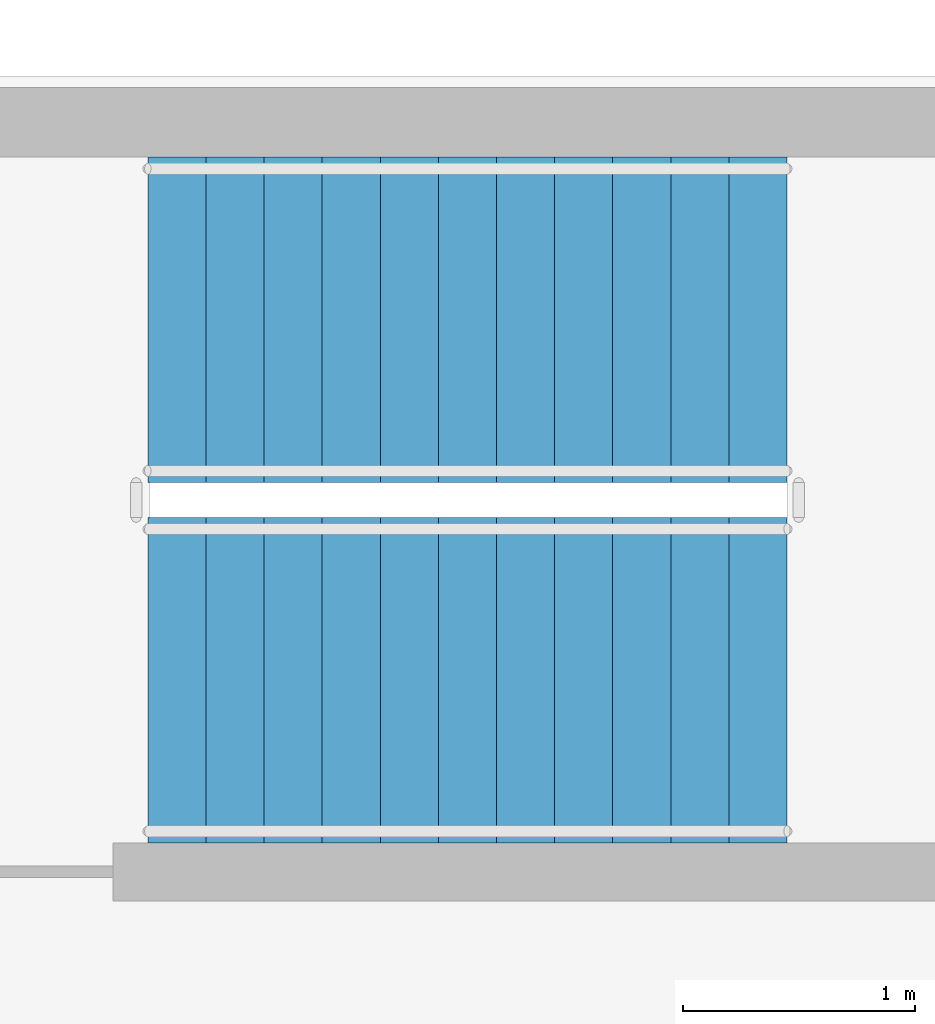
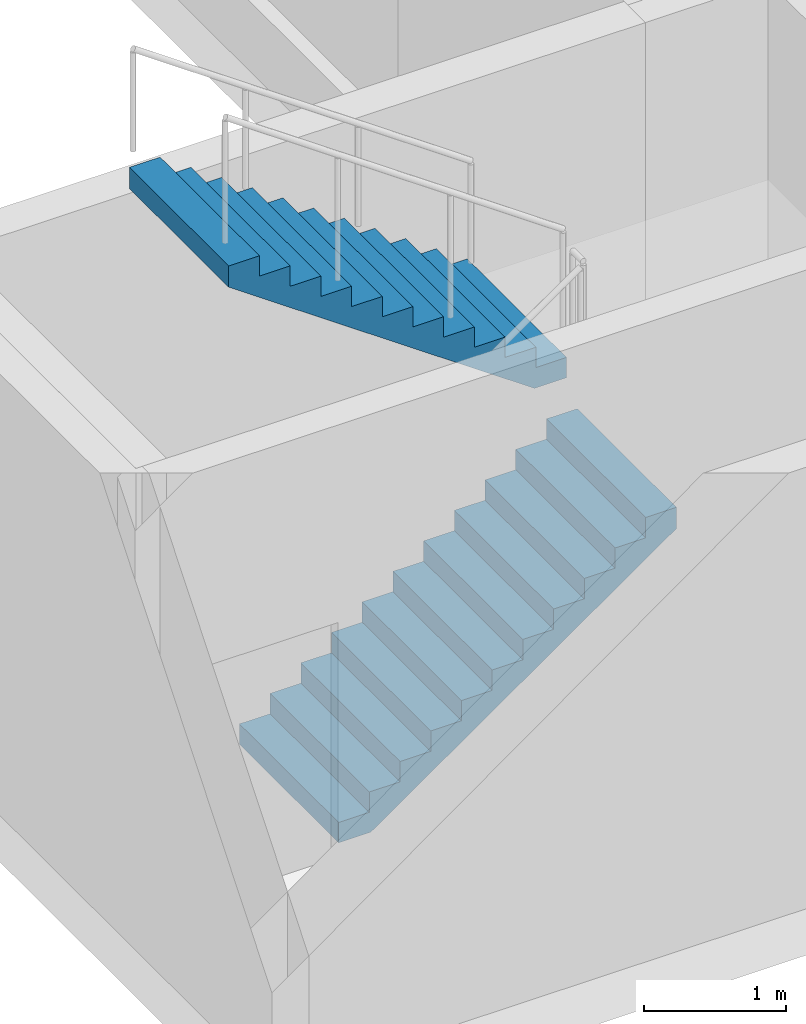
# One storey, part 9 of 14: 2 stair flights, 1 element without a shape of its own.
"""IFC4 building model written with IfcOpenShell, lengths in metres."""

from ifc_helpers import new_model, si_unit, direction, frame, origin, place, context, subcontext, project, spatial, polyline, outline, extrude, source, transform, mapped, material, type_object, element, aggregate, save


model = new_model("IFC4")

# Units and contexts
model_context = context("Model", 3, precision=1e-05, world=origin(), true_north=direction((0.0, 1.0)))
body_context = subcontext(model_context, "Body", "Model", "MODEL_VIEW")
ifc_project = project(units=[si_unit("LENGTHUNIT", "METRE"), si_unit("AREAUNIT", "SQUARE_METRE"), si_unit("VOLUMEUNIT", "CUBIC_METRE"), si_unit("PLANEANGLEUNIT", "RADIAN"), si_unit("MASSUNIT", "GRAM", prefix="KILO")], contexts=[model_context])

# Site, building, storey
site_placement = place(None, origin())
site = spatial("IfcSite", under=ifc_project, at=site_placement, CompositionType="ELEMENT")
building_placement = place(site_placement, origin())
building = spatial("IfcBuilding", under=site, at=building_placement, Name="Aurelian Terraces", CompositionType="ELEMENT")
storey_placement = place(building_placement, frame((0.0, 0.0, 141.3)))
storey = spatial("IfcBuildingStorey", under=building, at=storey_placement, Name="L31", CompositionType="ELEMENT", Elevation=141.3)

# Stair, stair flights
ifc_material = material(Name="Concrete fc' 40 MPa", Category="concrete")
stair_type = type_object("IfcStairType", Name="Stair 1400", PredefinedType="HALF_TURN_STAIR", material=ifc_material)
stair_placement = place(storey_placement, origin())
stair = element("IfcStair", 1, at=stair_placement, inside=storey, type_object=stair_type, Name="L31 S3", PredefinedType="HALF_TURN_STAIR")
stair_flight_type = type_object("IfcStairFlightType", Name="Stair flight 1400", PredefinedType="STRAIGHT", material=ifc_material)
shared_shape = source(origin(), body_context, "Body", "SweptSolid", [
    extrude(outline(polyline([(0.0, 0.0), (0.0, 0.175), (0.25, 0.175), (0.25, 0.35), (0.5, 0.35), (0.5, 0.525), (0.75, 0.525), (0.75, 0.7), (1.0, 0.7), (1.0, 0.875), (1.25, 0.875), (1.25, 1.05), (1.5, 1.05), (1.5, 1.225), (1.75, 1.225), (1.75, 1.4), (2.0, 1.4), (2.0, 1.575), (2.25, 1.575), (2.25, 1.75), (2.5, 1.75), (2.5, 1.925), (2.75, 1.925), (2.75, 2.1), (2.75, 1.7419), (0.2616, 0.0), (0.0, 0.0)])), frame((0.0, 0.7, 0.0), z_axis=(0.0, -1.0, 0.0), x_axis=(1.0, 0.0, 0.0)), (0.0, 0.0, 1.0), 1.4),
])
stair_flight_1_placement = place(storey_placement, frame((2.1, 41.35, 2e-08), z_axis=(0.0, 0.0, 1.0), x_axis=(1.0, 0.0, 0.0)))
stair_flight_1 = element("IfcStairFlight", 2, at=stair_flight_1_placement, type_object=stair_flight_type, Name="S3 flight 1", NumberOfRisers=12, NumberOfTreads=11, PredefinedType="STRAIGHT", RiserHeight=0.175, TreadLength=0.25, context=body_context, shape_type="MappedRepresentation", body=[
    mapped(shared_shape, transform((0.0, 0.0, 0.0), scale=1.0)),
])
stair_flight_2_placement = place(storey_placement, frame((4.85, 42.9, 2.100000019999994), z_axis=(0.0, 0.0, 1.0), x_axis=(-1.0, 0.0, 0.0)))
stair_flight_2 = element("IfcStairFlight", 3, at=stair_flight_2_placement, type_object=stair_flight_type, Name="S3 flight 2", NumberOfRisers=12, NumberOfTreads=11, PredefinedType="STRAIGHT", RiserHeight=0.175, TreadLength=0.25, context=body_context, shape_type="MappedRepresentation", body=[
    mapped(shared_shape, transform((0.0, 0.0, 0.0), scale=1.0)),
])
aggregate(stair, [stair_flight_1, stair_flight_2])

save(model, "model.ifc")
